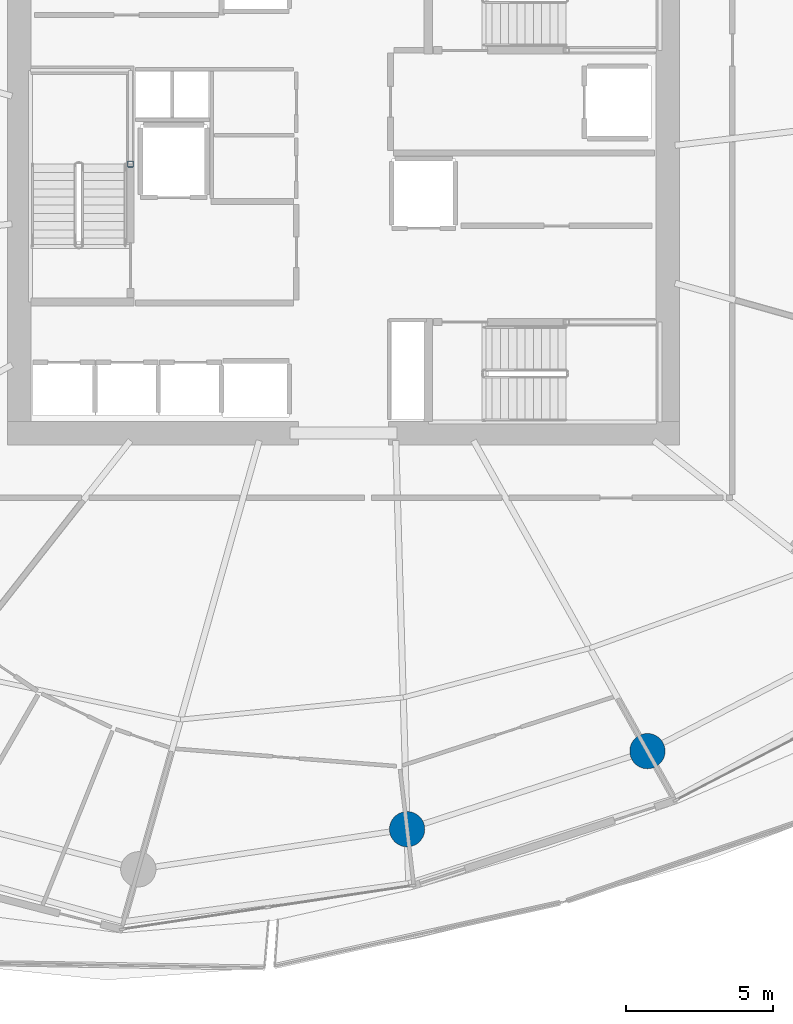
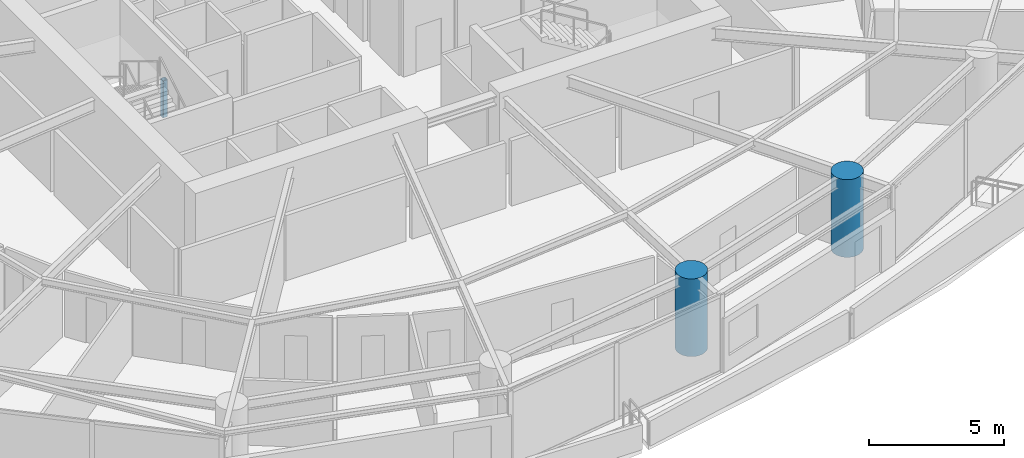
# One storey, part 2 of 22: 3 columns.
"""IFC4 building model written with IfcOpenShell, lengths in metres."""

from ifc_helpers import new_model, si_unit, direction, frame, origin, origin_2d, place, context, subcontext, project, spatial, hollow_rectangle, circle, extrude, material, material_profile, profile_set, type_object, element, save


model = new_model("IFC4")

# Units and contexts
model_context = context("Model", 3, precision=1e-05, world=origin(), true_north=direction((0.0, 1.0)))
body_context = subcontext(model_context, "Body", "Model", "MODEL_VIEW")
ifc_project = project(units=[si_unit("LENGTHUNIT", "METRE"), si_unit("AREAUNIT", "SQUARE_METRE"), si_unit("VOLUMEUNIT", "CUBIC_METRE"), si_unit("PLANEANGLEUNIT", "RADIAN"), si_unit("MASSUNIT", "GRAM", prefix="KILO")], contexts=[model_context])

# Site, building, storey
site_placement = place(None, origin())
site = spatial("IfcSite", under=ifc_project, at=site_placement, CompositionType="ELEMENT")
building_placement = place(site_placement, origin())
building = spatial("IfcBuilding", under=site, at=building_placement, Name="Kazma Halo Residences", CompositionType="ELEMENT")
storey_placement = place(building_placement, frame((0.0, 0.0, 93.89990234375)))
storey = spatial("IfcBuildingStorey", under=building, at=storey_placement, Name="L23", CompositionType="ELEMENT", Elevation=93.89990234375)

# Columns
ifc_material_1 = material(Name="Steel S355", Category="steel")
ifc_material_profile_1 = material_profile(ifc_material_1, hollow_rectangle(XDim=0.199951171875, YDim=0.199951171875, WallThickness=0.010009765625, InnerFilletRadius=0.010009765625, OuterFilletRadius=0.02001953125, at=origin_2d()), Name="SHS200x200x10")
ifc_profile_set_1 = profile_set([ifc_material_profile_1], Name="Steel S355")
column_type_1 = type_object("IfcColumnType", Name="COL-LP-SHS200", PredefinedType="COLUMN", material=ifc_profile_set_1)
column_placement = place(storey_placement, frame((41.179931640625, 42.75, 0.0), z_axis=(0.0, 0.0, 1.0), x_axis=(1.0, 0.0, 0.0)))
element("IfcColumn", 1, at=column_placement, inside=storey, type_object=column_type_1, Name="L23 ST-01 landing pilaster 1", PredefinedType="COLUMN", context=body_context, shape_type="SweptSolid", body=[
    extrude(hollow_rectangle(XDim=0.199951171875, YDim=0.199951171875, WallThickness=0.010009765625, InnerFilletRadius=0.010009765625, OuterFilletRadius=0.02001953125, at=origin_2d()), origin(), (0.0, 0.0, 1.0), 1.670166015625),
])
ifc_material_2 = material(Name="Concrete C80/95", Category="concrete")
ifc_material_profile_2 = material_profile(ifc_material_2, circle(Radius=0.60009765625, at=origin_2d()), Name="CIRC1200")
ifc_profile_set_2 = profile_set([ifc_material_profile_2], Name="Concrete C80/95")
column_type_2 = type_object("IfcColumnType", Name="COL-PERIM-1200", PredefinedType="COLUMN", material=ifc_profile_set_2)
for number, where, z_axis, x_axis, name in (
    (2, (50.58837890625, 20.130859375, 0.0), (0.0, 0.0, 1.0), (1.0, 0.0, 0.0), "L23 perimeter ring column P12"),
    (3, (58.76025390625, 22.7861328125, 0.0), (0.0, 0.0, 1.0), (1.0, 0.0, 0.0), "L23 perimeter ring column P13"),
):
    element("IfcColumn", number, at=place(storey_placement, frame(where, z_axis=z_axis, x_axis=x_axis)), inside=storey, type_object=column_type_2, Name=name, PredefinedType="COLUMN", context=body_context, shape_type="SweptSolid", body=[
        extrude(circle(Radius=0.60009765625, at=origin_2d()), origin(), (0.0, 0.0, 1.0), 3.5),
    ])

save(model, "model.ifc")
